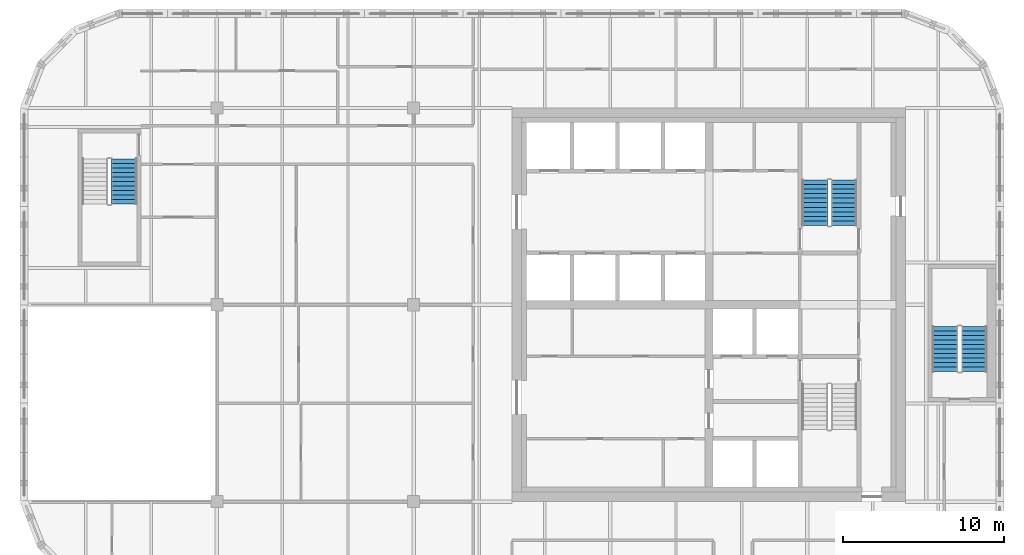
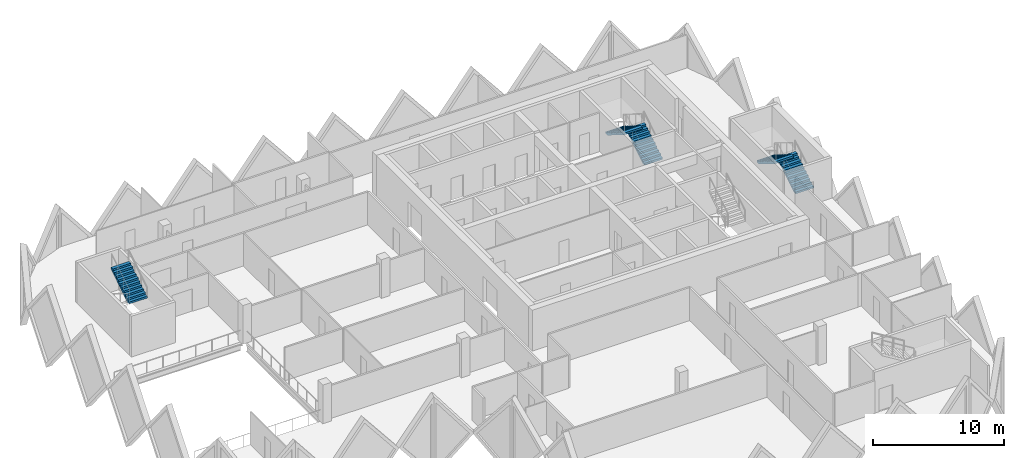
# One storey, part 11 of 12: 5 stair flights, 3 elements without a shape of their own.
"""IFC4 building model written with IfcOpenShell, lengths in metres."""

from ifc_helpers import new_model, si_unit, direction, frame, origin, place, context, subcontext, project, spatial, polyline, outline, extrude, material, type_object, element, aggregate, save


model = new_model("IFC4")

# Units and contexts
model_context = context("Model", 3, precision=1e-05, world=origin(), true_north=direction((0.0, 1.0)))
body_context = subcontext(model_context, "Body", "Model", "MODEL_VIEW")
ifc_project = project(units=[si_unit("LENGTHUNIT", "METRE"), si_unit("AREAUNIT", "SQUARE_METRE"), si_unit("VOLUMEUNIT", "CUBIC_METRE"), si_unit("PLANEANGLEUNIT", "RADIAN"), si_unit("MASSUNIT", "GRAM", prefix="KILO")], contexts=[model_context])

# Site, building, storey
site_placement = place(None, origin())
site = spatial("IfcSite", under=ifc_project, at=site_placement, CompositionType="ELEMENT")
building_placement = place(site_placement, origin())
building = spatial("IfcBuilding", under=site, at=building_placement, Name="Tessera Gate Towers", CompositionType="ELEMENT")
storey_placement = place(building_placement, frame((0.0, 0.0, 185.800048828125)))
storey = spatial("IfcBuildingStorey", under=building, at=storey_placement, Name="L46", CompositionType="ELEMENT", Elevation=185.800048828125)

# Stair, stair flights
ifc_material_1 = material(Name="Concrete C40/50", Category="concrete")
stair_type_1 = type_object("IfcStairType", Name="EXIT STAIR ST2 1600", PredefinedType="HALF_TURN_STAIR", material=ifc_material_1)
stair_1_placement = place(storey_placement, origin())
stair_1 = element("IfcStair", 1, at=stair_1_placement, inside=storey, type_object=stair_type_1, Name="L46 Protected Exit Stair ST2", PredefinedType="HALF_TURN_STAIR")
ifc_material_2 = material(Name="Concrete C40/50", Category="concrete")
stair_flight_type_1 = type_object("IfcStairFlightType", Name="EXIT STAIR FLIGHT ST2 1600", PredefinedType="STRAIGHT", material=ifc_material_2)
stair_flight_1_placement = place(storey_placement, frame((51.074951171875, 41.52490234375, 0.0), z_axis=(0.0, 0.0, 1.0), x_axis=(0.0, 1.0, 0.0)))
stair_flight_1 = element("IfcStairFlight", 2, at=stair_flight_1_placement, type_object=stair_flight_type_1, Name="ST2 flight 1", NumberOfRisers=11, NumberOfTreads=10, PredefinedType="STRAIGHT", RiserHeight=0.172727273, TreadLength=0.28, context=body_context, shape_type="SweptSolid", body=[
    extrude(outline(polyline([(0.0, 0.0), (0.0, 0.172607421875), (0.280029296875, 0.172607421875), (0.280029296875, 0.345458984375), (0.56005859375, 0.345458984375), (0.56005859375, 0.51806640625), (0.840087890625, 0.51806640625), (0.840087890625, 0.69091796875), (1.1201171875, 0.69091796875), (1.1201171875, 0.863525390625), (1.39990234375, 0.863525390625), (1.39990234375, 1.036376953125), (1.679931640625, 1.036376953125), (1.679931640625, 1.208984375), (1.9599609375, 1.208984375), (1.9599609375, 1.3818359375), (2.239990234375, 1.3818359375), (2.239990234375, 1.554443359375), (2.52001953125, 1.554443359375), (2.52001953125, 1.727294921875), (2.800048828125, 1.727294921875), (2.800048828125, 1.89990234375), (2.800048828125, 1.551025390625), (0.285400390625, 0.0), (0.0, 0.0)])), frame((0.0, 0.800048828125, 0.0), z_axis=(0.0, -1.0, 0.0), x_axis=(1.0, 0.0, 0.0)), (0.0, 0.0, 1.0), 1.60009765625),
])
stair_flight_2_placement = place(storey_placement, frame((49.27490234375, 44.324951171875, 1.89990234375), z_axis=(0.0, 0.0, 1.0), x_axis=(0.0, -1.0, 0.0)))
stair_flight_2 = element("IfcStairFlight", 3, at=stair_flight_2_placement, type_object=stair_flight_type_1, Name="ST2 flight 2", NumberOfRisers=11, NumberOfTreads=10, PredefinedType="STRAIGHT", RiserHeight=0.172727273, TreadLength=0.28, context=body_context, shape_type="SweptSolid", body=[
    extrude(outline(polyline([(0.0, 0.0), (0.0, 0.172607421875), (0.280029296875, 0.172607421875), (0.280029296875, 0.345458984375), (0.56005859375, 0.345458984375), (0.56005859375, 0.51806640625), (0.840087890625, 0.51806640625), (0.840087890625, 0.69091796875), (1.1201171875, 0.69091796875), (1.1201171875, 0.863525390625), (1.39990234375, 0.863525390625), (1.39990234375, 1.036376953125), (1.679931640625, 1.036376953125), (1.679931640625, 1.208984375), (1.9599609375, 1.208984375), (1.9599609375, 1.3818359375), (2.239990234375, 1.3818359375), (2.239990234375, 1.554443359375), (2.52001953125, 1.554443359375), (2.52001953125, 1.727294921875), (2.800048828125, 1.727294921875), (2.800048828125, 1.89990234375), (2.800048828125, 1.551025390625), (0.285400390625, 0.0), (0.0, 0.0)])), frame((0.0, 0.800048828125, 0.0), z_axis=(0.0, -1.0, 0.0), x_axis=(1.0, 0.0, 0.0)), (0.0, 0.0, 1.0), 1.60009765625),
])
aggregate(stair_1, [stair_flight_1, stair_flight_2])

# Stair, stair flight
ifc_material_3 = material(Name="Concrete C40/50", Category="concrete")
stair_type_2 = type_object("IfcStairType", Name="EXIT STAIR ST3 1600", PredefinedType="HALF_TURN_STAIR", material=ifc_material_3)
stair_2_placement = place(storey_placement, origin())
stair_2 = element("IfcStair", 4, at=stair_2_placement, inside=storey, type_object=stair_type_2, Name="L46 West Exit Stair ST3", PredefinedType="HALF_TURN_STAIR")
ifc_material_4 = material(Name="Concrete C40/50", Category="concrete")
stair_flight_type_2 = type_object("IfcStairFlightType", Name="EXIT STAIR FLIGHT ST3 1600", PredefinedType="STRAIGHT", material=ifc_material_4)
stair_flight_3_placement = place(storey_placement, frame((6.449951171875, 42.85009765625, 1.89990234375), z_axis=(0.0, 0.0, 1.0), x_axis=(0.0, 1.0, 0.0)))
stair_flight_3 = element("IfcStairFlight", 5, at=stair_flight_3_placement, type_object=stair_flight_type_2, Name="ST3 flight 2", NumberOfRisers=11, NumberOfTreads=10, PredefinedType="STRAIGHT", RiserHeight=0.172727273, TreadLength=0.28, context=body_context, shape_type="SweptSolid", body=[
    extrude(outline(polyline([(0.0, 0.0), (0.0, 0.172607421875), (0.280029296875, 0.172607421875), (0.280029296875, 0.345458984375), (0.56005859375, 0.345458984375), (0.56005859375, 0.51806640625), (0.840087890625, 0.51806640625), (0.840087890625, 0.69091796875), (1.1201171875, 0.69091796875), (1.1201171875, 0.863525390625), (1.39990234375, 0.863525390625), (1.39990234375, 1.036376953125), (1.679931640625, 1.036376953125), (1.679931640625, 1.208984375), (1.9599609375, 1.208984375), (1.9599609375, 1.3818359375), (2.239990234375, 1.3818359375), (2.239990234375, 1.554443359375), (2.52001953125, 1.554443359375), (2.52001953125, 1.727294921875), (2.800048828125, 1.727294921875), (2.800048828125, 1.89990234375), (2.800048828125, 1.551025390625), (0.285400390625, 0.0), (0.0, 0.0)])), frame((0.0, 0.800048828125, 0.0), z_axis=(0.0, -1.0, 0.0), x_axis=(1.0, 0.0, 0.0)), (0.0, 0.0, 1.0), 1.60009765625),
])
aggregate(stair_2, [stair_flight_3])

# Stair, stair flights
ifc_material_5 = material(Name="Concrete C40/50", Category="concrete")
stair_type_3 = type_object("IfcStairType", Name="EXIT STAIR ST5 1600", PredefinedType="HALF_TURN_STAIR", material=ifc_material_5)
stair_3_placement = place(storey_placement, origin())
stair_3 = element("IfcStair", 6, at=stair_3_placement, inside=storey, type_object=stair_type_3, Name="L46 East Exit Stair ST5", PredefinedType="HALF_TURN_STAIR")
ifc_material_6 = material(Name="Concrete C40/50", Category="concrete")
stair_flight_type_3 = type_object("IfcStairFlightType", Name="EXIT STAIR FLIGHT ST5 1600", PredefinedType="STRAIGHT", material=ifc_material_6)
stair_flight_4_placement = place(storey_placement, frame((59.14990234375, 32.449951171875, 0.0), z_axis=(0.0, 0.0, 1.0), x_axis=(0.0, 1.0, 0.0)))
stair_flight_4 = element("IfcStairFlight", 7, at=stair_flight_4_placement, type_object=stair_flight_type_3, Name="ST5 flight 1", NumberOfRisers=11, NumberOfTreads=10, PredefinedType="STRAIGHT", RiserHeight=0.172727273, TreadLength=0.28, context=body_context, shape_type="SweptSolid", body=[
    extrude(outline(polyline([(0.0, 0.0), (0.0, 0.172607421875), (0.280029296875, 0.172607421875), (0.280029296875, 0.345458984375), (0.56005859375, 0.345458984375), (0.56005859375, 0.51806640625), (0.840087890625, 0.51806640625), (0.840087890625, 0.69091796875), (1.1201171875, 0.69091796875), (1.1201171875, 0.863525390625), (1.39990234375, 0.863525390625), (1.39990234375, 1.036376953125), (1.679931640625, 1.036376953125), (1.679931640625, 1.208984375), (1.9599609375, 1.208984375), (1.9599609375, 1.3818359375), (2.239990234375, 1.3818359375), (2.239990234375, 1.554443359375), (2.52001953125, 1.554443359375), (2.52001953125, 1.727294921875), (2.800048828125, 1.727294921875), (2.800048828125, 1.89990234375), (2.800048828125, 1.551025390625), (0.285400390625, 0.0), (0.0, 0.0)])), frame((0.0, 0.800048828125, 0.0), z_axis=(0.0, -1.0, 0.0), x_axis=(1.0, 0.0, 0.0)), (0.0, 0.0, 1.0), 1.60009765625),
])
stair_flight_5_placement = place(storey_placement, frame((57.35009765625, 35.25, 1.89990234375), z_axis=(0.0, 0.0, 1.0), x_axis=(0.0, -1.0, 0.0)))
stair_flight_5 = element("IfcStairFlight", 8, at=stair_flight_5_placement, type_object=stair_flight_type_3, Name="ST5 flight 2", NumberOfRisers=11, NumberOfTreads=10, PredefinedType="STRAIGHT", RiserHeight=0.172727273, TreadLength=0.28, context=body_context, shape_type="SweptSolid", body=[
    extrude(outline(polyline([(0.0, 0.0), (0.0, 0.172607421875), (0.280029296875, 0.172607421875), (0.280029296875, 0.345458984375), (0.56005859375, 0.345458984375), (0.56005859375, 0.51806640625), (0.840087890625, 0.51806640625), (0.840087890625, 0.69091796875), (1.1201171875, 0.69091796875), (1.1201171875, 0.863525390625), (1.39990234375, 0.863525390625), (1.39990234375, 1.036376953125), (1.679931640625, 1.036376953125), (1.679931640625, 1.208984375), (1.9599609375, 1.208984375), (1.9599609375, 1.3818359375), (2.239990234375, 1.3818359375), (2.239990234375, 1.554443359375), (2.52001953125, 1.554443359375), (2.52001953125, 1.727294921875), (2.800048828125, 1.727294921875), (2.800048828125, 1.89990234375), (2.800048828125, 1.551025390625), (0.285400390625, 0.0), (0.0, 0.0)])), frame((0.0, 0.800048828125, 0.0), z_axis=(0.0, -1.0, 0.0), x_axis=(1.0, 0.0, 0.0)), (0.0, 0.0, 1.0), 1.60009765625),
])
aggregate(stair_3, [stair_flight_4, stair_flight_5])

save(model, "model.ifc")
